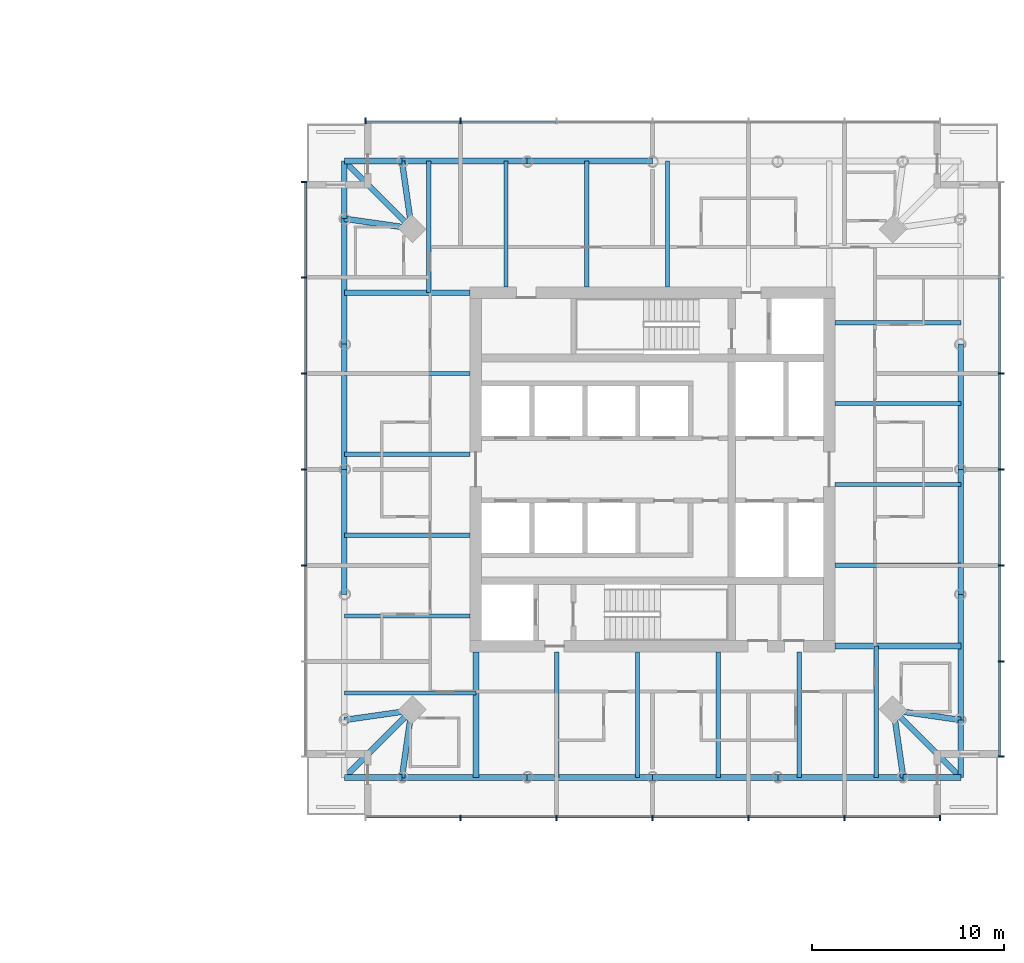
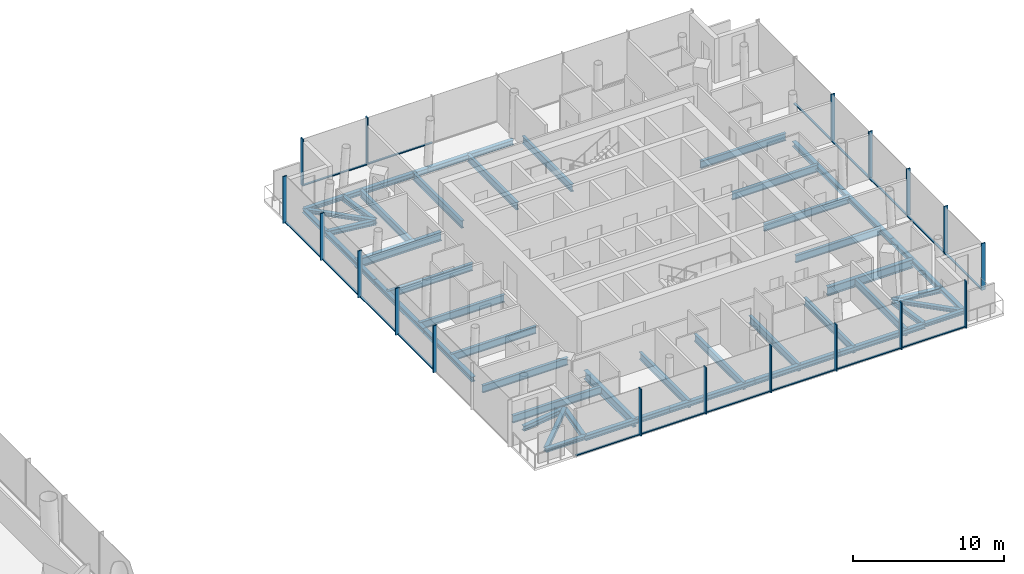
# One storey, part 5 of 27: 47 beams, 35 members, 4 elements without a shape of their own.
"""IFC4 building model written with IfcOpenShell, lengths in metres."""

from ifc_helpers import new_model, si_unit, direction, frame, origin, origin_2d, place, context, subcontext, project, spatial, rectangle, i_section, extrude, material, material_profile, profile_set, type_object, element, aggregate, save


model = new_model("IFC4")

# Units and contexts
model_context = context("Model", 3, precision=1e-05, world=origin(), true_north=direction((0.0, 1.0)))
body_context = subcontext(model_context, "Body", "Model", "MODEL_VIEW")
ifc_project = project(units=[si_unit("LENGTHUNIT", "METRE"), si_unit("AREAUNIT", "SQUARE_METRE"), si_unit("VOLUMEUNIT", "CUBIC_METRE"), si_unit("PLANEANGLEUNIT", "RADIAN"), si_unit("MASSUNIT", "GRAM", prefix="KILO")], contexts=[model_context])

# Site, building, storey
site_placement = place(None, origin())
site = spatial("IfcSite", under=ifc_project, at=site_placement, CompositionType="ELEMENT")
building_placement = place(site_placement, origin())
building = spatial("IfcBuilding", under=site, at=building_placement, Name="Ostroluk Exchange", CompositionType="ELEMENT")
storey_placement = place(building_placement, frame((0.0, 0.0, 89.39990234375)))
storey = spatial("IfcBuildingStorey", under=building, at=storey_placement, Name="L22", CompositionType="ELEMENT", Elevation=89.39990234375)

# Beams
ifc_material_1 = material(Name="Steel S355", Category="steel")
ifc_material_profile_1 = material_profile(ifc_material_1, i_section(OverallWidth=0.300048828125, OverallDepth=0.300048828125, WebThickness=0.010986328125, FlangeThickness=0.01904296875, FilletRadius=0.027099609375, at=origin_2d()), Name="HEB 300")
ifc_profile_set_1 = profile_set([ifc_material_profile_1], Name="Steel S355")
beam_type_1 = type_object("IfcBeamType", Name="Balcony beam HEB 300", PredefinedType="BEAM", material=ifc_profile_set_1)
for number, where, z_axis, x_axis, name in (
    (1, (103.9482421875, 62.0517578125, -0.349853515625), (-1.0, 0.0, 0.0), (0.0, -1.0, 0.0), "T2 north balcony beam a"),
    (2, (100.9482421875, 59.0517578125, -0.349853515625), (0.0, 1.0, 0.0), (-1.0, 0.0, 0.0), "T2 north balcony beam b"),
):
    element("IfcBeam", number, at=place(storey_placement, frame(where, z_axis=z_axis, x_axis=x_axis)), inside=storey, type_object=beam_type_1, Name=name, PredefinedType="BEAM", context=body_context, shape_type="SweptSolid", body=[
        extrude(i_section(OverallWidth=0.300048828125, OverallDepth=0.300048828125, WebThickness=0.010986328125, FlangeThickness=0.01904296875, FilletRadius=0.027099609375, at=origin_2d()), origin(), (0.0, 0.0, 1.0), 3.0),
    ])
beam_1_placement = place(storey_placement, frame((104.4482421875, 58.5517578125, -0.349853515625), z_axis=(-0.707106781187, 0.707106781187, 0.0), x_axis=(-0.707106781187, -0.707106781187, 0.0)))
element("IfcBeam", 3, at=beam_1_placement, inside=storey, type_object=beam_type_1, Name="T2 north balcony beam c", PredefinedType="BEAM", context=body_context, shape_type="SweptSolid", body=[
    extrude(i_section(OverallWidth=0.300048828125, OverallDepth=0.300048828125, WebThickness=0.010986328125, FlangeThickness=0.01904296875, FilletRadius=0.027099609375, at=origin_2d()), origin(), (0.0, 0.0, 1.0), 4.94970703125),
])
beam_2_placement = place(storey_placement, frame((103.9482421875, 29.9482421875, -0.349853515625), z_axis=(-1.0, 0.0, 0.0), x_axis=(0.0, -1.0, 0.0)))
element("IfcBeam", 4, at=beam_2_placement, inside=storey, type_object=beam_type_1, Name="T2 west balcony beam b", PredefinedType="BEAM", context=body_context, shape_type="SweptSolid", body=[
    extrude(i_section(OverallWidth=0.300048828125, OverallDepth=0.300048828125, WebThickness=0.010986328125, FlangeThickness=0.01904296875, FilletRadius=0.027099609375, at=origin_2d()), origin(), (0.0, 0.0, 1.0), 3.0),
])
beam_3_placement = place(storey_placement, frame((104.4482421875, 33.4482421875, -0.349853515625), z_axis=(-0.707106781187, -0.707106781187, 0.0), x_axis=(0.707106781187, -0.707106781187, 0.0)))
element("IfcBeam", 5, at=beam_3_placement, inside=storey, type_object=beam_type_1, Name="T2 west balcony beam c", PredefinedType="BEAM", context=body_context, shape_type="SweptSolid", body=[
    extrude(i_section(OverallWidth=0.300048828125, OverallDepth=0.300048828125, WebThickness=0.010986328125, FlangeThickness=0.01904296875, FilletRadius=0.027099609375, at=origin_2d()), origin(), (0.0, 0.0, 1.0), 4.94970703125),
])
for number, where, z_axis, x_axis, name in (
    (6, (130.0517578125, 29.9482421875, -0.349853515625), (1.0, 0.0, 0.0), (0.0, 1.0, 0.0), "T2 south balcony beam a"),
    (7, (133.0517578125, 32.9482421875, -0.349853515625), (0.0, -1.0, 0.0), (1.0, 0.0, 0.0), "T2 south balcony beam b"),
):
    element("IfcBeam", number, at=place(storey_placement, frame(where, z_axis=z_axis, x_axis=x_axis)), inside=storey, type_object=beam_type_1, Name=name, PredefinedType="BEAM", context=body_context, shape_type="SweptSolid", body=[
        extrude(i_section(OverallWidth=0.300048828125, OverallDepth=0.300048828125, WebThickness=0.010986328125, FlangeThickness=0.01904296875, FilletRadius=0.027099609375, at=origin_2d()), origin(), (0.0, 0.0, 1.0), 3.0),
    ])
beam_4_placement = place(storey_placement, frame((129.5517578125, 33.4482421875, -0.349853515625), z_axis=(0.707106781187, -0.707106781187, 0.0), x_axis=(0.707106781187, 0.707106781187, 0.0)))
element("IfcBeam", 8, at=beam_4_placement, inside=storey, type_object=beam_type_1, Name="T2 south balcony beam c", PredefinedType="BEAM", context=body_context, shape_type="SweptSolid", body=[
    extrude(i_section(OverallWidth=0.300048828125, OverallDepth=0.300048828125, WebThickness=0.010986328125, FlangeThickness=0.01904296875, FilletRadius=0.027099609375, at=origin_2d()), origin(), (0.0, 0.0, 1.0), 4.94970703125),
])
ifc_material_2 = material(Name="Steel S355", Category="steel")
ifc_material_profile_2 = material_profile(ifc_material_2, i_section(OverallWidth=0.300048828125, OverallDepth=0.39990234375, WebThickness=0.013427734375, FlangeThickness=0.02392578125, FilletRadius=0.027099609375, at=origin_2d()), Name="HEB 400")
ifc_profile_set_2 = profile_set([ifc_material_profile_2], Name="Steel S355")
beam_type_2 = type_object("IfcBeamType", Name="Corner edge beam HEB 400", PredefinedType="SPANDREL", material=ifc_profile_set_2)
for number, where, z_axis, x_axis, name in (
    (9, (104.4482421875, 58.5517578125, -0.39990234375), (-0.141421356237, 0.989949493661, 0.0), (-0.989949493661, -0.141421356237, 0.0), "T2 north corner edge beam a"),
    (10, (104.4482421875, 58.5517578125, -0.39990234375), (-0.989949493661, 0.141421356237, 0.0), (-0.141421356237, -0.989949493661, 0.0), "T2 north corner edge beam b"),
    (11, (104.4482421875, 33.4482421875, -0.39990234375), (-0.989949493661, -0.141421356237, 0.0), (0.141421356237, -0.989949493661, 0.0), "T2 west corner edge beam a"),
    (12, (104.4482421875, 33.4482421875, -0.39990234375), (-0.141421356237, -0.989949493661, 0.0), (0.989949493661, -0.141421356237, 0.0), "T2 west corner edge beam b"),
    (13, (129.5517578125, 33.4482421875, -0.39990234375), (0.141421356237, -0.989949493661, 0.0), (0.989949493661, 0.141421356237, 0.0), "T2 south corner edge beam a"),
    (14, (129.5517578125, 33.4482421875, -0.39990234375), (0.989949493661, -0.141421356237, 0.0), (0.141421356237, 0.989949493661, 0.0), "T2 south corner edge beam b"),
):
    element("IfcBeam", number, at=place(storey_placement, frame(where, z_axis=z_axis, x_axis=x_axis)), inside=storey, type_object=beam_type_2, Name=name, PredefinedType="SPANDREL", context=body_context, shape_type="SweptSolid", body=[
        extrude(i_section(OverallWidth=0.300048828125, OverallDepth=0.39990234375, WebThickness=0.013427734375, FlangeThickness=0.02392578125, FilletRadius=0.027099609375, at=origin_2d()), origin(), (0.0, 0.0, 1.0), 3.53564453125),
    ])
ifc_material_3 = material(Name="Steel S355", Category="steel")
ifc_material_profile_3 = material_profile(ifc_material_3, i_section(OverallWidth=0.219970703125, OverallDepth=0.60009765625, WebThickness=0.011962890625, FlangeThickness=0.01904296875, FilletRadius=0.02392578125, at=origin_2d()), Name="IPE 600")
ifc_profile_set_3 = profile_set([ifc_material_profile_3], Name="Steel S355")
beam_type_3 = type_object("IfcBeamType", Name="Floor beam IPE 600", PredefinedType="BEAM", material=ifc_profile_set_3)
for number, where, z_axis, x_axis, name in (
    (15, (126.5, 41.008544921875, -0.5), (1.0, 0.0, 0.0), (0.0, 1.0, 0.0), "T2 east floor beam 1"),
    (16, (126.5, 45.21728515625, -0.5), (1.0, 0.0, 0.0), (0.0, 1.0, 0.0), "T2 east floor beam 2"),
    (17, (126.5, 49.42578125, -0.5), (1.0, 0.0, 0.0), (0.0, 1.0, 0.0), "T2 east floor beam 3"),
    (18, (126.5, 53.634521484375, -0.5), (1.0, 0.0, 0.0), (0.0, 1.0, 0.0), "T2 east floor beam 4"),
    (19, (117.78271484375, 55.5, -0.5), (0.0, 1.0, 0.0), (-1.0, 0.0, 0.0), "T2 north floor beam 2"),
    (20, (113.57421875, 55.5, -0.5), (0.0, 1.0, 0.0), (-1.0, 0.0, 0.0), "T2 north floor beam 3"),
    (21, (109.365478515625, 55.5, -0.5), (0.0, 1.0, 0.0), (-1.0, 0.0, 0.0), "T2 north floor beam 4"),
):
    element("IfcBeam", number, at=place(storey_placement, frame(where, z_axis=z_axis, x_axis=x_axis)), inside=storey, type_object=beam_type_3, Name=name, PredefinedType="BEAM", context=body_context, shape_type="SweptSolid", body=[
        extrude(i_section(OverallWidth=0.219970703125, OverallDepth=0.60009765625, WebThickness=0.011962890625, FlangeThickness=0.01904296875, FilletRadius=0.02392578125, at=origin_2d()), origin(), (0.0, 0.0, 1.0), 6.5517578125),
    ])
beam_5_placement = place(storey_placement, frame((105.348388671875, 55.199951171875, -0.5), z_axis=(0.0, 1.0, 0.0), x_axis=(-1.0, 0.0, 0.0)))
element("IfcBeam", 22, at=beam_5_placement, inside=storey, type_object=beam_type_3, Name="T2 north floor beam 5", PredefinedType="BEAM", context=body_context, shape_type="SweptSolid", body=[
    extrude(i_section(OverallWidth=0.219970703125, OverallDepth=0.60009765625, WebThickness=0.011962890625, FlangeThickness=0.01904296875, FilletRadius=0.02392578125, at=origin_2d()), origin(), (0.0, 0.0, 1.0), 6.851806640625),
])
for number, where, z_axis, x_axis, name in (
    (23, (107.5, 50.991455078125, -0.5), (-1.0, 0.0, 0.0), (0.0, -1.0, 0.0), "T2 west floor beam 1"),
    (24, (107.5, 46.78271484375, -0.5), (-1.0, 0.0, 0.0), (0.0, -1.0, 0.0), "T2 west floor beam 2"),
    (25, (107.5, 42.57421875, -0.5), (-1.0, 0.0, 0.0), (0.0, -1.0, 0.0), "T2 west floor beam 3"),
    (26, (107.5, 38.365478515625, -0.5), (-1.0, 0.0, 0.0), (0.0, -1.0, 0.0), "T2 west floor beam 4"),
):
    element("IfcBeam", number, at=place(storey_placement, frame(where, z_axis=z_axis, x_axis=x_axis)), inside=storey, type_object=beam_type_3, Name=name, PredefinedType="BEAM", context=body_context, shape_type="SweptSolid", body=[
        extrude(i_section(OverallWidth=0.219970703125, OverallDepth=0.60009765625, WebThickness=0.011962890625, FlangeThickness=0.01904296875, FilletRadius=0.02392578125, at=origin_2d()), origin(), (0.0, 0.0, 1.0), 6.5517578125),
    ])
beam_6_placement = place(storey_placement, frame((107.800048828125, 34.348388671875, -0.5), z_axis=(-1.0, 0.0, 0.0), x_axis=(0.0, -1.0, 0.0)))
element("IfcBeam", 27, at=beam_6_placement, inside=storey, type_object=beam_type_3, Name="T2 west floor beam 5", PredefinedType="BEAM", context=body_context, shape_type="SweptSolid", body=[
    extrude(i_section(OverallWidth=0.219970703125, OverallDepth=0.60009765625, WebThickness=0.011962890625, FlangeThickness=0.01904296875, FilletRadius=0.02392578125, at=origin_2d()), origin(), (0.0, 0.0, 1.0), 6.851806640625),
])
for number, where, z_axis, x_axis, name in (
    (28, (112.008544921875, 36.5, -0.5), (0.0, -1.0, 0.0), (1.0, 0.0, 0.0), "T2 south floor beam 1"),
    (29, (116.21728515625, 36.5, -0.5), (0.0, -1.0, 0.0), (1.0, 0.0, 0.0), "T2 south floor beam 2"),
    (30, (120.42578125, 36.5, -0.5), (0.0, -1.0, 0.0), (1.0, 0.0, 0.0), "T2 south floor beam 3"),
    (31, (124.634521484375, 36.5, -0.5), (0.0, -1.0, 0.0), (1.0, 0.0, 0.0), "T2 south floor beam 4"),
):
    element("IfcBeam", number, at=place(storey_placement, frame(where, z_axis=z_axis, x_axis=x_axis)), inside=storey, type_object=beam_type_3, Name=name, PredefinedType="BEAM", context=body_context, shape_type="SweptSolid", body=[
        extrude(i_section(OverallWidth=0.219970703125, OverallDepth=0.60009765625, WebThickness=0.011962890625, FlangeThickness=0.01904296875, FilletRadius=0.02392578125, at=origin_2d()), origin(), (0.0, 0.0, 1.0), 6.5517578125),
    ])
beam_7_placement = place(storey_placement, frame((128.651611328125, 36.800048828125, -0.5), z_axis=(0.0, -1.0, 0.0), x_axis=(1.0, 0.0, 0.0)))
element("IfcBeam", 32, at=beam_7_placement, inside=storey, type_object=beam_type_3, Name="T2 south floor beam 5", PredefinedType="BEAM", context=body_context, shape_type="SweptSolid", body=[
    extrude(i_section(OverallWidth=0.219970703125, OverallDepth=0.60009765625, WebThickness=0.011962890625, FlangeThickness=0.01904296875, FilletRadius=0.02392578125, at=origin_2d()), origin(), (0.0, 0.0, 1.0), 6.851806640625),
])
ifc_material_4 = material(Name="Steel S355", Category="steel")
ifc_material_profile_4 = material_profile(ifc_material_4, i_section(OverallWidth=0.300048828125, OverallDepth=0.699951171875, WebThickness=0.01708984375, FlangeThickness=0.031982421875, FilletRadius=0.027099609375, at=origin_2d()), Name="HEB 700")
ifc_profile_set_4 = profile_set([ifc_material_profile_4], Name="Steel S355")
beam_type_4 = type_object("IfcBeamType", Name="Girder HEB 700", PredefinedType="BEAM", material=ifc_profile_set_4)
for number, where, z_axis, x_axis, name in (
    (33, (107.5, 55.199951171875, -0.5498046875), (-1.0, 0.0, 0.0), (0.0, -1.0, 0.0), "T2 north girder"),
    (34, (107.800048828125, 36.5, -0.5498046875), (0.0, -1.0, 0.0), (1.0, 0.0, 0.0), "T2 west girder"),
    (35, (126.5, 36.800048828125, -0.5498046875), (1.0, 0.0, 0.0), (0.0, 1.0, 0.0), "T2 south girder"),
):
    element("IfcBeam", number, at=place(storey_placement, frame(where, z_axis=z_axis, x_axis=x_axis)), inside=storey, type_object=beam_type_4, Name=name, PredefinedType="BEAM", context=body_context, shape_type="SweptSolid", body=[
        extrude(i_section(OverallWidth=0.300048828125, OverallDepth=0.699951171875, WebThickness=0.01708984375, FlangeThickness=0.031982421875, FilletRadius=0.027099609375, at=origin_2d()), origin(), (0.0, 0.0, 1.0), 6.5517578125),
    ])
ifc_material_5 = material(Name="Steel S355", Category="steel")
ifc_material_profile_5 = material_profile(ifc_material_5, i_section(OverallWidth=0.300048828125, OverallDepth=0.39990234375, WebThickness=0.013427734375, FlangeThickness=0.02392578125, FilletRadius=0.027099609375, at=origin_2d()), Name="HEB 400")
ifc_profile_set_5 = profile_set([ifc_material_profile_5], Name="Steel S355")
beam_type_5 = type_object("IfcBeamType", Name="Moment-connected edge beam HEB 400", PredefinedType="SPANDREL", material=ifc_profile_set_5)
for number, where, z_axis, x_axis, name in (
    (36, (133.0517578125, 32.9482421875, -0.39990234375), (0.0, 1.0, 0.0), (-1.0, 0.0, 0.0), "T2 east edge beam 1"),
    (37, (133.0517578125, 39.47412109375, -0.39990234375), (0.0, 1.0, 0.0), (-1.0, 0.0, 0.0), "T2 east edge beam 2"),
    (38, (133.0517578125, 46.0, -0.39990234375), (0.0, 1.0, 0.0), (-1.0, 0.0, 0.0), "T2 east edge beam 3"),
    (39, (117.0, 62.0517578125, -0.39990234375), (-1.0, 0.0, 0.0), (0.0, -1.0, 0.0), "T2 north edge beam 3"),
    (40, (110.47412109375, 62.0517578125, -0.39990234375), (-1.0, 0.0, 0.0), (0.0, -1.0, 0.0), "T2 north edge beam 4"),
    (41, (100.9482421875, 59.0517578125, -0.39990234375), (0.0, -1.0, 0.0), (1.0, 0.0, 0.0), "T2 west edge beam 1"),
    (42, (100.9482421875, 52.52587890625, -0.39990234375), (0.0, -1.0, 0.0), (1.0, 0.0, 0.0), "T2 west edge beam 2"),
    (43, (100.9482421875, 46.0, -0.39990234375), (0.0, -1.0, 0.0), (1.0, 0.0, 0.0), "T2 west edge beam 3"),
    (44, (103.9482421875, 29.9482421875, -0.39990234375), (1.0, 0.0, 0.0), (0.0, 1.0, 0.0), "T2 south edge beam 1"),
    (45, (110.47412109375, 29.9482421875, -0.39990234375), (1.0, 0.0, 0.0), (0.0, 1.0, 0.0), "T2 south edge beam 2"),
    (46, (117.0, 29.9482421875, -0.39990234375), (1.0, 0.0, 0.0), (0.0, 1.0, 0.0), "T2 south edge beam 3"),
    (47, (123.52587890625, 29.9482421875, -0.39990234375), (1.0, 0.0, 0.0), (0.0, 1.0, 0.0), "T2 south edge beam 4"),
):
    element("IfcBeam", number, at=place(storey_placement, frame(where, z_axis=z_axis, x_axis=x_axis)), inside=storey, type_object=beam_type_5, Name=name, PredefinedType="SPANDREL", context=body_context, shape_type="SweptSolid", body=[
        extrude(i_section(OverallWidth=0.300048828125, OverallDepth=0.39990234375, WebThickness=0.013427734375, FlangeThickness=0.02392578125, FilletRadius=0.027099609375, at=origin_2d()), origin(), (0.0, 0.0, 1.0), 6.52587890625),
    ])

# Curtain wall, members
ifc_material_6 = material(Name="Laminated clear glass", Category="glass")
curtain_wall_type = type_object("IfcCurtainWallType", Name="Hotel guest floor facade", PredefinedType="USERDEFINED", material=ifc_material_6)
curtain_wall_1_placement = place(storey_placement, origin())
curtain_wall_1 = element("IfcCurtainWall", 48, at=curtain_wall_1_placement, inside=storey, type_object=curtain_wall_type, Name="Hotel tower south facade L22", ObjectType="UNITISED CURTAIN WALL", PredefinedType="USERDEFINED")
ifc_material_7 = material(Name="Aluminium mullion", Category="aluminium")
ifc_material_profile_6 = material_profile(ifc_material_7, rectangle(XDim=0.14990234375, YDim=0.080078125, at=origin_2d()), Name="Sill transom 80 x 150")
ifc_profile_set_6 = profile_set([ifc_material_profile_6], Name="Aluminium mullion")
member_type_1 = type_object("IfcMemberType", Name="Sill transom 80 x 150", PredefinedType="USERDEFINED", material=ifc_profile_set_6)
member_1_placement = place(storey_placement, frame((102.080078125, 27.925048828125, 0.0400390625), z_axis=(1.0, 0.0, 0.0), x_axis=(0.0, 1.0, 0.0)))
member_1 = element("IfcMember", 49, at=member_1_placement, type_object=member_type_1, Name="CW-H1 transom 1.1", ObjectType="TRANSOM", PredefinedType="USERDEFINED", context=body_context, shape_type="SweptSolid", body=[
    extrude(rectangle(XDim=0.14990234375, YDim=0.080078125, at=origin_2d()), origin(), (0.0, 0.0, 1.0), 4.8798828125),
])
member_2_placement = place(storey_placement, frame((107.0400390625, 27.925048828125, 0.0400390625), z_axis=(1.0, 0.0, 0.0), x_axis=(0.0, 1.0, 0.0)))
member_2 = element("IfcMember", 50, at=member_2_placement, type_object=member_type_1, Name="CW-H1 transom 2.1", ObjectType="TRANSOM", PredefinedType="USERDEFINED", context=body_context, shape_type="SweptSolid", body=[
    extrude(rectangle(XDim=0.14990234375, YDim=0.080078125, at=origin_2d()), origin(), (0.0, 0.0, 1.0), 4.919921875),
])
member_3_placement = place(storey_placement, frame((112.0400390625, 27.925048828125, 0.0400390625), z_axis=(1.0, 0.0, 0.0), x_axis=(0.0, 1.0, 0.0)))
member_3 = element("IfcMember", 51, at=member_3_placement, type_object=member_type_1, Name="CW-H1 transom 3.1", ObjectType="TRANSOM", PredefinedType="USERDEFINED", context=body_context, shape_type="SweptSolid", body=[
    extrude(rectangle(XDim=0.14990234375, YDim=0.080078125, at=origin_2d()), origin(), (0.0, 0.0, 1.0), 4.919921875),
])
member_4_placement = place(storey_placement, frame((117.0400390625, 27.925048828125, 0.0400390625), z_axis=(1.0, 0.0, 0.0), x_axis=(0.0, 1.0, 0.0)))
member_4 = element("IfcMember", 52, at=member_4_placement, type_object=member_type_1, Name="CW-H1 transom 4.1", ObjectType="TRANSOM", PredefinedType="USERDEFINED", context=body_context, shape_type="SweptSolid", body=[
    extrude(rectangle(XDim=0.14990234375, YDim=0.080078125, at=origin_2d()), origin(), (0.0, 0.0, 1.0), 4.919921875),
])
member_5_placement = place(storey_placement, frame((122.0400390625, 27.925048828125, 0.0400390625), z_axis=(1.0, 0.0, 0.0), x_axis=(0.0, 1.0, 0.0)))
member_5 = element("IfcMember", 53, at=member_5_placement, type_object=member_type_1, Name="CW-H1 transom 5.1", ObjectType="TRANSOM", PredefinedType="USERDEFINED", context=body_context, shape_type="SweptSolid", body=[
    extrude(rectangle(XDim=0.14990234375, YDim=0.080078125, at=origin_2d()), origin(), (0.0, 0.0, 1.0), 4.919921875),
])
member_6_placement = place(storey_placement, frame((127.0400390625, 27.925048828125, 0.0400390625), z_axis=(1.0, 0.0, 0.0), x_axis=(0.0, 1.0, 0.0)))
member_6 = element("IfcMember", 54, at=member_6_placement, type_object=member_type_1, Name="CW-H1 transom 6.1", ObjectType="TRANSOM", PredefinedType="USERDEFINED", context=body_context, shape_type="SweptSolid", body=[
    extrude(rectangle(XDim=0.14990234375, YDim=0.080078125, at=origin_2d()), origin(), (0.0, 0.0, 1.0), 4.8798828125),
])

curtain_wall_2_placement = place(storey_placement, origin())
curtain_wall_2 = element("IfcCurtainWall", 55, at=curtain_wall_2_placement, inside=storey, type_object=curtain_wall_type, Name="Hotel tower east facade L22", ObjectType="UNITISED CURTAIN WALL", PredefinedType="USERDEFINED")
member_7_placement = place(storey_placement, frame((135.074951171875, 31.080078125, 0.0400390625), z_axis=(0.0, 1.0, 0.0), x_axis=(-1.0, 0.0, 0.0)))
member_7 = element("IfcMember", 56, at=member_7_placement, type_object=member_type_1, Name="CW-H1 transom 1.1", ObjectType="TRANSOM", PredefinedType="USERDEFINED", context=body_context, shape_type="SweptSolid", body=[
    extrude(rectangle(XDim=0.14990234375, YDim=0.080078125, at=origin_2d()), origin(), (0.0, 0.0, 1.0), 4.8798828125),
])
member_8_placement = place(storey_placement, frame((135.074951171875, 36.0400390625, 0.0400390625), z_axis=(0.0, 1.0, 0.0), x_axis=(-1.0, 0.0, 0.0)))
member_8 = element("IfcMember", 57, at=member_8_placement, type_object=member_type_1, Name="CW-H1 transom 2.1", ObjectType="TRANSOM", PredefinedType="USERDEFINED", context=body_context, shape_type="SweptSolid", body=[
    extrude(rectangle(XDim=0.14990234375, YDim=0.080078125, at=origin_2d()), origin(), (0.0, 0.0, 1.0), 4.919921875),
])
member_9_placement = place(storey_placement, frame((135.074951171875, 41.0400390625, 0.0400390625), z_axis=(0.0, 1.0, 0.0), x_axis=(-1.0, 0.0, 0.0)))
member_9 = element("IfcMember", 58, at=member_9_placement, type_object=member_type_1, Name="CW-H1 transom 3.1", ObjectType="TRANSOM", PredefinedType="USERDEFINED", context=body_context, shape_type="SweptSolid", body=[
    extrude(rectangle(XDim=0.14990234375, YDim=0.080078125, at=origin_2d()), origin(), (0.0, 0.0, 1.0), 4.919921875),
])
member_10_placement = place(storey_placement, frame((135.074951171875, 46.0400390625, 0.0400390625), z_axis=(0.0, 1.0, 0.0), x_axis=(-1.0, 0.0, 0.0)))
member_10 = element("IfcMember", 59, at=member_10_placement, type_object=member_type_1, Name="CW-H1 transom 4.1", ObjectType="TRANSOM", PredefinedType="USERDEFINED", context=body_context, shape_type="SweptSolid", body=[
    extrude(rectangle(XDim=0.14990234375, YDim=0.080078125, at=origin_2d()), origin(), (0.0, 0.0, 1.0), 4.919921875),
])
member_11_placement = place(storey_placement, frame((135.074951171875, 51.0400390625, 0.0400390625), z_axis=(0.0, 1.0, 0.0), x_axis=(-1.0, 0.0, 0.0)))
member_11 = element("IfcMember", 60, at=member_11_placement, type_object=member_type_1, Name="CW-H1 transom 5.1", ObjectType="TRANSOM", PredefinedType="USERDEFINED", context=body_context, shape_type="SweptSolid", body=[
    extrude(rectangle(XDim=0.14990234375, YDim=0.080078125, at=origin_2d()), origin(), (0.0, 0.0, 1.0), 4.919921875),
])

curtain_wall_3_placement = place(storey_placement, origin())
curtain_wall_3 = element("IfcCurtainWall", 61, at=curtain_wall_3_placement, inside=storey, type_object=curtain_wall_type, Name="Hotel tower north facade L22", ObjectType="UNITISED CURTAIN WALL", PredefinedType="USERDEFINED")
member_12_placement = place(storey_placement, frame((111.9599609375, 64.074951171875, 0.0400390625), z_axis=(-1.0, 0.0, 0.0), x_axis=(0.0, -1.0, 0.0)))
member_12 = element("IfcMember", 62, at=member_12_placement, type_object=member_type_1, Name="CW-H1 transom 5.1", ObjectType="TRANSOM", PredefinedType="USERDEFINED", context=body_context, shape_type="SweptSolid", body=[
    extrude(rectangle(XDim=0.14990234375, YDim=0.080078125, at=origin_2d()), origin(), (0.0, 0.0, 1.0), 4.919921875),
])
member_13_placement = place(storey_placement, frame((106.9599609375, 64.074951171875, 0.0400390625), z_axis=(-1.0, 0.0, 0.0), x_axis=(0.0, -1.0, 0.0)))
member_13 = element("IfcMember", 63, at=member_13_placement, type_object=member_type_1, Name="CW-H1 transom 6.1", ObjectType="TRANSOM", PredefinedType="USERDEFINED", context=body_context, shape_type="SweptSolid", body=[
    extrude(rectangle(XDim=0.14990234375, YDim=0.080078125, at=origin_2d()), origin(), (0.0, 0.0, 1.0), 4.8798828125),
])

curtain_wall_4_placement = place(storey_placement, origin())
curtain_wall_4 = element("IfcCurtainWall", 64, at=curtain_wall_4_placement, inside=storey, type_object=curtain_wall_type, Name="Hotel tower west facade L22", ObjectType="UNITISED CURTAIN WALL", PredefinedType="USERDEFINED")
member_14_placement = place(storey_placement, frame((98.925048828125, 60.919921875, 0.0400390625), z_axis=(0.0, -1.0, 0.0), x_axis=(1.0, 0.0, 0.0)))
member_14 = element("IfcMember", 65, at=member_14_placement, type_object=member_type_1, Name="CW-H1 transom 1.1", ObjectType="TRANSOM", PredefinedType="USERDEFINED", context=body_context, shape_type="SweptSolid", body=[
    extrude(rectangle(XDim=0.14990234375, YDim=0.080078125, at=origin_2d()), origin(), (0.0, 0.0, 1.0), 4.8798828125),
])
member_15_placement = place(storey_placement, frame((98.925048828125, 55.9599609375, 0.0400390625), z_axis=(0.0, -1.0, 0.0), x_axis=(1.0, 0.0, 0.0)))
member_15 = element("IfcMember", 66, at=member_15_placement, type_object=member_type_1, Name="CW-H1 transom 2.1", ObjectType="TRANSOM", PredefinedType="USERDEFINED", context=body_context, shape_type="SweptSolid", body=[
    extrude(rectangle(XDim=0.14990234375, YDim=0.080078125, at=origin_2d()), origin(), (0.0, 0.0, 1.0), 4.919921875),
])
member_16_placement = place(storey_placement, frame((98.925048828125, 50.9599609375, 0.0400390625), z_axis=(0.0, -1.0, 0.0), x_axis=(1.0, 0.0, 0.0)))
member_16 = element("IfcMember", 67, at=member_16_placement, type_object=member_type_1, Name="CW-H1 transom 3.1", ObjectType="TRANSOM", PredefinedType="USERDEFINED", context=body_context, shape_type="SweptSolid", body=[
    extrude(rectangle(XDim=0.14990234375, YDim=0.080078125, at=origin_2d()), origin(), (0.0, 0.0, 1.0), 4.919921875),
])
member_17_placement = place(storey_placement, frame((98.925048828125, 45.9599609375, 0.0400390625), z_axis=(0.0, -1.0, 0.0), x_axis=(1.0, 0.0, 0.0)))
member_17 = element("IfcMember", 68, at=member_17_placement, type_object=member_type_1, Name="CW-H1 transom 4.1", ObjectType="TRANSOM", PredefinedType="USERDEFINED", context=body_context, shape_type="SweptSolid", body=[
    extrude(rectangle(XDim=0.14990234375, YDim=0.080078125, at=origin_2d()), origin(), (0.0, 0.0, 1.0), 4.919921875),
])

# Member
ifc_material_8 = material(Name="Aluminium mullion with limestone facing", Category="masonry")
ifc_material_profile_7 = material_profile(ifc_material_8, rectangle(XDim=0.300048828125, YDim=0.080078125, at=origin_2d()), Name="Tracery mullion 80 x 300")
ifc_profile_set_7 = profile_set([ifc_material_profile_7], Name="Aluminium mullion with limestone facing")
member_type_2 = type_object("IfcMemberType", Name="Tracery mullion 80 x 300", PredefinedType="MULLION", material=ifc_profile_set_7)
member_18_placement = place(storey_placement, frame((107.0, 27.85009765625, 0.0), z_axis=(0.0, 0.0, 1.0), x_axis=(0.0, 1.0, 0.0)))
member_18 = element("IfcMember", 69, at=member_18_placement, type_object=member_type_2, Name="CW-H1 mullion 2", PredefinedType="MULLION", context=body_context, shape_type="SweptSolid", body=[
    extrude(rectangle(XDim=0.300048828125, YDim=0.080078125, at=origin_2d()), origin(), (0.0, 0.0, 1.0), 3.800048828125),
])

member_19_placement = place(storey_placement, frame((112.0, 27.85009765625, 0.0), z_axis=(0.0, 0.0, 1.0), x_axis=(0.0, 1.0, 0.0)))
member_19 = element("IfcMember", 70, at=member_19_placement, type_object=member_type_2, Name="CW-H1 mullion 3", PredefinedType="MULLION", context=body_context, shape_type="SweptSolid", body=[
    extrude(rectangle(XDim=0.300048828125, YDim=0.080078125, at=origin_2d()), origin(), (0.0, 0.0, 1.0), 3.800048828125),
])

member_20_placement = place(storey_placement, frame((117.0, 27.85009765625, 0.0), z_axis=(0.0, 0.0, 1.0), x_axis=(0.0, 1.0, 0.0)))
member_20 = element("IfcMember", 71, at=member_20_placement, type_object=member_type_2, Name="CW-H1 mullion 4", PredefinedType="MULLION", context=body_context, shape_type="SweptSolid", body=[
    extrude(rectangle(XDim=0.300048828125, YDim=0.080078125, at=origin_2d()), origin(), (0.0, 0.0, 1.0), 3.800048828125),
])

member_21_placement = place(storey_placement, frame((122.0, 27.85009765625, 0.0), z_axis=(0.0, 0.0, 1.0), x_axis=(0.0, 1.0, 0.0)))
member_21 = element("IfcMember", 72, at=member_21_placement, type_object=member_type_2, Name="CW-H1 mullion 5", PredefinedType="MULLION", context=body_context, shape_type="SweptSolid", body=[
    extrude(rectangle(XDim=0.300048828125, YDim=0.080078125, at=origin_2d()), origin(), (0.0, 0.0, 1.0), 3.800048828125),
])

member_22_placement = place(storey_placement, frame((127.0, 27.85009765625, 0.0), z_axis=(0.0, 0.0, 1.0), x_axis=(0.0, 1.0, 0.0)))
member_22 = element("IfcMember", 73, at=member_22_placement, type_object=member_type_2, Name="CW-H1 mullion 6", PredefinedType="MULLION", context=body_context, shape_type="SweptSolid", body=[
    extrude(rectangle(XDim=0.300048828125, YDim=0.080078125, at=origin_2d()), origin(), (0.0, 0.0, 1.0), 3.800048828125),
])

member_23_placement = place(storey_placement, frame((131.9599609375, 27.85009765625, 0.0), z_axis=(0.0, 0.0, 1.0), x_axis=(0.0, 1.0, 0.0)))
member_23 = element("IfcMember", 74, at=member_23_placement, type_object=member_type_2, Name="CW-H1 mullion 7", PredefinedType="MULLION", context=body_context, shape_type="SweptSolid", body=[
    extrude(rectangle(XDim=0.300048828125, YDim=0.080078125, at=origin_2d()), origin(), (0.0, 0.0, 1.0), 3.800048828125),
])

aggregate(curtain_wall_1, [member_18, member_19, member_20, member_21, member_22, member_23, member_1, member_2, member_3, member_4, member_5, member_6])

member_24_placement = place(storey_placement, frame((135.14990234375, 31.0400390625, 0.0), z_axis=(0.0, 0.0, 1.0), x_axis=(-1.0, 0.0, 0.0)))
member_24 = element("IfcMember", 75, at=member_24_placement, type_object=member_type_2, Name="CW-H1 mullion 1", PredefinedType="MULLION", context=body_context, shape_type="SweptSolid", body=[
    extrude(rectangle(XDim=0.300048828125, YDim=0.080078125, at=origin_2d()), origin(), (0.0, 0.0, 1.0), 3.800048828125),
])

member_25_placement = place(storey_placement, frame((135.14990234375, 36.0, 0.0), z_axis=(0.0, 0.0, 1.0), x_axis=(-1.0, 0.0, 0.0)))
member_25 = element("IfcMember", 76, at=member_25_placement, type_object=member_type_2, Name="CW-H1 mullion 2", PredefinedType="MULLION", context=body_context, shape_type="SweptSolid", body=[
    extrude(rectangle(XDim=0.300048828125, YDim=0.080078125, at=origin_2d()), origin(), (0.0, 0.0, 1.0), 3.800048828125),
])

member_26_placement = place(storey_placement, frame((135.14990234375, 41.0, 0.0), z_axis=(0.0, 0.0, 1.0), x_axis=(-1.0, 0.0, 0.0)))
member_26 = element("IfcMember", 77, at=member_26_placement, type_object=member_type_2, Name="CW-H1 mullion 3", PredefinedType="MULLION", context=body_context, shape_type="SweptSolid", body=[
    extrude(rectangle(XDim=0.300048828125, YDim=0.080078125, at=origin_2d()), origin(), (0.0, 0.0, 1.0), 3.800048828125),
])

member_27_placement = place(storey_placement, frame((135.14990234375, 46.0, 0.0), z_axis=(0.0, 0.0, 1.0), x_axis=(-1.0, 0.0, 0.0)))
member_27 = element("IfcMember", 78, at=member_27_placement, type_object=member_type_2, Name="CW-H1 mullion 4", PredefinedType="MULLION", context=body_context, shape_type="SweptSolid", body=[
    extrude(rectangle(XDim=0.300048828125, YDim=0.080078125, at=origin_2d()), origin(), (0.0, 0.0, 1.0), 3.800048828125),
])

member_28_placement = place(storey_placement, frame((135.14990234375, 51.0, 0.0), z_axis=(0.0, 0.0, 1.0), x_axis=(-1.0, 0.0, 0.0)))
member_28 = element("IfcMember", 79, at=member_28_placement, type_object=member_type_2, Name="CW-H1 mullion 5", PredefinedType="MULLION", context=body_context, shape_type="SweptSolid", body=[
    extrude(rectangle(XDim=0.300048828125, YDim=0.080078125, at=origin_2d()), origin(), (0.0, 0.0, 1.0), 3.800048828125),
])

aggregate(curtain_wall_2, [member_24, member_25, member_26, member_27, member_28, member_7, member_8, member_9, member_10, member_11])

member_29_placement = place(storey_placement, frame((107.0, 64.14990234375, 0.0), z_axis=(0.0, 0.0, 1.0), x_axis=(0.0, -1.0, 0.0)))
member_29 = element("IfcMember", 80, at=member_29_placement, type_object=member_type_2, Name="CW-H1 mullion 6", PredefinedType="MULLION", context=body_context, shape_type="SweptSolid", body=[
    extrude(rectangle(XDim=0.300048828125, YDim=0.080078125, at=origin_2d()), origin(), (0.0, 0.0, 1.0), 3.800048828125),
])

member_30_placement = place(storey_placement, frame((102.0400390625, 64.14990234375, 0.0), z_axis=(0.0, 0.0, 1.0), x_axis=(0.0, -1.0, 0.0)))
member_30 = element("IfcMember", 81, at=member_30_placement, type_object=member_type_2, Name="CW-H1 mullion 7", PredefinedType="MULLION", context=body_context, shape_type="SweptSolid", body=[
    extrude(rectangle(XDim=0.300048828125, YDim=0.080078125, at=origin_2d()), origin(), (0.0, 0.0, 1.0), 3.800048828125),
])

aggregate(curtain_wall_3, [member_29, member_30, member_12, member_13])

member_31_placement = place(storey_placement, frame((98.85009765625, 60.9599609375, 0.0), z_axis=(0.0, 0.0, 1.0), x_axis=(1.0, 0.0, 0.0)))
member_31 = element("IfcMember", 82, at=member_31_placement, type_object=member_type_2, Name="CW-H1 mullion 1", PredefinedType="MULLION", context=body_context, shape_type="SweptSolid", body=[
    extrude(rectangle(XDim=0.300048828125, YDim=0.080078125, at=origin_2d()), origin(), (0.0, 0.0, 1.0), 3.800048828125),
])

member_32_placement = place(storey_placement, frame((98.85009765625, 56.0, 0.0), z_axis=(0.0, 0.0, 1.0), x_axis=(1.0, 0.0, 0.0)))
member_32 = element("IfcMember", 83, at=member_32_placement, type_object=member_type_2, Name="CW-H1 mullion 2", PredefinedType="MULLION", context=body_context, shape_type="SweptSolid", body=[
    extrude(rectangle(XDim=0.300048828125, YDim=0.080078125, at=origin_2d()), origin(), (0.0, 0.0, 1.0), 3.800048828125),
])

member_33_placement = place(storey_placement, frame((98.85009765625, 51.0, 0.0), z_axis=(0.0, 0.0, 1.0), x_axis=(1.0, 0.0, 0.0)))
member_33 = element("IfcMember", 84, at=member_33_placement, type_object=member_type_2, Name="CW-H1 mullion 3", PredefinedType="MULLION", context=body_context, shape_type="SweptSolid", body=[
    extrude(rectangle(XDim=0.300048828125, YDim=0.080078125, at=origin_2d()), origin(), (0.0, 0.0, 1.0), 3.800048828125),
])

member_34_placement = place(storey_placement, frame((98.85009765625, 46.0, 0.0), z_axis=(0.0, 0.0, 1.0), x_axis=(1.0, 0.0, 0.0)))
member_34 = element("IfcMember", 85, at=member_34_placement, type_object=member_type_2, Name="CW-H1 mullion 4", PredefinedType="MULLION", context=body_context, shape_type="SweptSolid", body=[
    extrude(rectangle(XDim=0.300048828125, YDim=0.080078125, at=origin_2d()), origin(), (0.0, 0.0, 1.0), 3.800048828125),
])

member_35_placement = place(storey_placement, frame((98.85009765625, 41.0, 0.0), z_axis=(0.0, 0.0, 1.0), x_axis=(1.0, 0.0, 0.0)))
member_35 = element("IfcMember", 86, at=member_35_placement, type_object=member_type_2, Name="CW-H1 mullion 5", PredefinedType="MULLION", context=body_context, shape_type="SweptSolid", body=[
    extrude(rectangle(XDim=0.300048828125, YDim=0.080078125, at=origin_2d()), origin(), (0.0, 0.0, 1.0), 3.800048828125),
])

aggregate(curtain_wall_4, [member_31, member_32, member_33, member_34, member_35, member_14, member_15, member_16, member_17])

save(model, "model.ifc")
